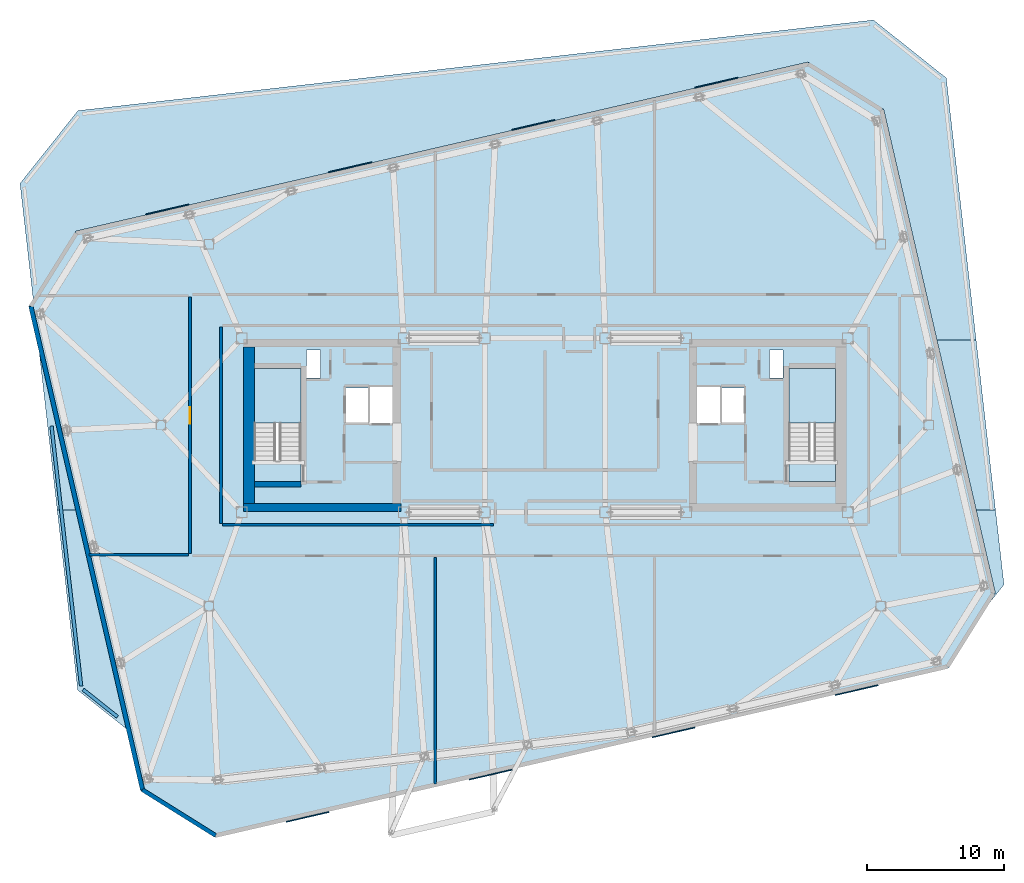
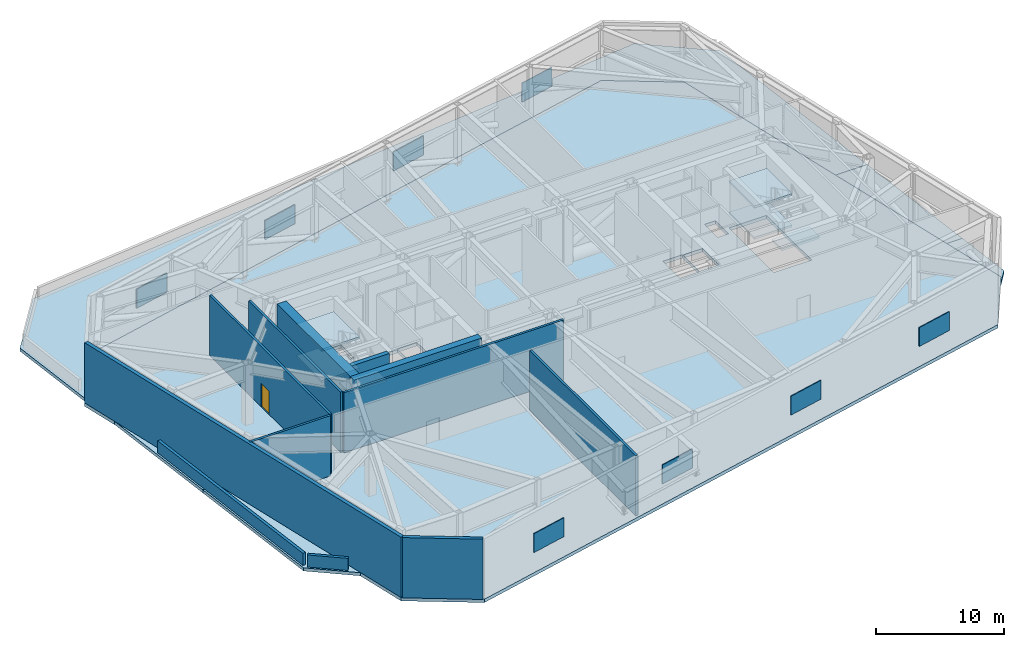
# One storey, part 6 of 15: 12 slabs, 12 walls, 8 plates, 1 door, 1 opening, 2 elements without a shape of their own.
"""IFC4 building model written with IfcOpenShell, lengths in metres."""

from ifc_helpers import new_model, si_unit, direction, frame, frame_2d, origin, origin_2d, place, context, subcontext, project, spatial, polyline, rectangle, outline, extrude, material, layer, layer_set, type_object, element, fill, aggregate, save


model = new_model("IFC4")

# Units and contexts
model_context = context("Model", 3, precision=1e-05, world=origin(), true_north=direction((0.0, 1.0)))
body_context = subcontext(model_context, "Body", "Model", "MODEL_VIEW")
ifc_project = project(units=[si_unit("LENGTHUNIT", "METRE"), si_unit("AREAUNIT", "SQUARE_METRE"), si_unit("VOLUMEUNIT", "CUBIC_METRE"), si_unit("PLANEANGLEUNIT", "RADIAN"), si_unit("MASSUNIT", "GRAM", prefix="KILO")], contexts=[model_context])

# Site, building, storey
site_placement = place(None, origin())
site = spatial("IfcSite", under=ifc_project, at=site_placement, CompositionType="ELEMENT")
building_placement = place(site_placement, origin())
building = spatial("IfcBuilding", under=site, at=building_placement, Name="Tavrogorsk Clinical Tower", CompositionType="ELEMENT")
storey_placement = place(building_placement, frame((0.0, 0.0, 271.0)))
storey = spatial("IfcBuildingStorey", under=building, at=storey_placement, Name="L63", CompositionType="ELEMENT", Elevation=271.0)

# Plates
ifc_material_1 = material(Name="Powder-coated aluminium acoustic louvre", Category="aluminium")
ifc_layer_1 = layer(ifc_material_1, 0.074951171875)
ifc_layer_set_1 = layer_set([ifc_layer_1], Name="Powder-coated aluminium acoustic louvre")
plate_type = type_object("IfcPlateType", Name="AcousticPlantLouvre_75", PredefinedType="SHEET", material=ifc_layer_set_1)
for number, where, z_axis, x_axis, name in (
    (1, (-17.31005859375, -28.5703125, 1.97021484375), (0.0, 0.0, 1.0), (0.974369662461, 0.224952796996, 0.0), "L63 Plant Acoustic Louvre S-1-1"),
    (2, (-3.961181640625, -25.48828125, 1.97021484375), (0.0, 0.0, 1.0), (0.974369662461, 0.224952796996, 0.0), "L63 Plant Acoustic Louvre S-1-2"),
    (3, (9.3876953125, -22.406494140625, 1.97021484375), (0.0, 0.0, 1.0), (0.974369662461, 0.224952796996, 0.0), "L63 Plant Acoustic Louvre S-1-3"),
    (4, (22.736328125, -19.32470703125, 1.97021484375), (0.0, 0.0, 1.0), (0.974369662461, 0.224952796996, 0.0), "L63 Plant Acoustic Louvre S-1-4"),
    (5, (12.510009765625, 24.97021484375, 1.97021484375), (0.0, 0.0, 1.0), (-0.974369662461, -0.224952796996, 0.0), "L63 Plant Acoustic Louvre N-1-1"),
    (6, (-0.838623046875, 21.888427734375, 1.97021484375), (0.0, 0.0, 1.0), (-0.974369662461, -0.224952796996, 0.0), "L63 Plant Acoustic Louvre N-1-2"),
    (7, (-14.1875, 18.806396484375, 1.97021484375), (0.0, 0.0, 1.0), (-0.974369662461, -0.224952796996, 0.0), "L63 Plant Acoustic Louvre N-1-3"),
    (8, (-27.536376953125, 15.724609375, 1.97021484375), (0.0, 0.0, 1.0), (-0.974369662461, -0.224952796996, 0.0), "L63 Plant Acoustic Louvre N-1-4"),
):
    element("IfcPlate", number, at=place(storey_placement, frame(where, z_axis=z_axis, x_axis=x_axis)), inside=storey, type_object=plate_type, Name=name, PredefinedType="SHEET", context=body_context, shape_type="SweptSolid", body=[
        extrude(rectangle(XDim=3.199951171875, YDim=0.074951171875, at=origin_2d()), origin(), (0.0, 0.0, 1.0), 1.800048828125),
    ])

# Slabs
ifc_material_2 = material(Name="Concrete B60", Category="concrete")
ifc_layer_2 = layer(ifc_material_2, 0.300048828125)
ifc_layer_set_2 = layer_set([ifc_layer_2], Name="Concrete B60")
slab_type_1 = type_object("IfcSlabType", Name="CrownTopRoofSlab_300", PredefinedType="ROOF", material=ifc_layer_set_2)
slab_1_placement = place(storey_placement, frame((0.0, 0.0, -0.300048828125)))
element("IfcSlab", 9, at=slab_1_placement, inside=storey, type_object=slab_type_1, Name="L63 Setback Roof Slab 1", PredefinedType="ROOF", context=body_context, shape_type="SweptSolid", body=[
    extrude(outline(polyline([(33.487060546875, -11.631591796875), (32.289306640625, -13.13720703125), (32.8515625, -12.23779296875), (31.45751953125, -6.199951171875), (32.8681640625, -6.199951171875), (33.487060546875, -11.631591796875)])), origin(), (0.0, 0.0, 1.0), 0.300048828125),
])
slab_2_placement = place(storey_placement, frame((0.0, 0.0, -0.300048828125)))
element("IfcSlab", 10, at=slab_2_placement, inside=storey, type_object=slab_type_1, Name="L63 Setback Roof Slab 2", PredefinedType="ROOF", context=body_context, shape_type="SweptSolid", body=[
    extrude(outline(polyline([(-35.57177734375, -6.199951171875), (-34.225830078125, -6.199951171875), (-30.546630859375, -22.13671875), (-34.075927734375, -19.329345703125), (-35.57177734375, -6.199951171875)])), origin(), (0.0, 0.0, 1.0), 0.300048828125),
])
slab_3_placement = place(storey_placement, frame((0.0, 0.0, -0.300048828125)))
element("IfcSlab", 11, at=slab_3_placement, inside=storey, type_object=slab_type_1, Name="L63 Setback Roof Slab 3", PredefinedType="ROOF", context=body_context, shape_type="SweptSolid", body=[
    extrude(outline(polyline([(-34.061279296875, 22.944091796875), (23.96337890625, 29.55517578125), (29.27587890625, 25.329345703125), (31.455322265625, 6.199951171875), (28.5947265625, 6.199951171875), (24.708251953125, 23.034423828125), (19.19140625, 26.48193359375), (-34.2041015625, 14.154541015625), (-37.322265625, 9.164306640625), (-38.287109375, 17.631591796875), (-34.061279296875, 22.944091796875)])), origin(), (0.0, 0.0, 1.0), 0.300048828125),
])
slab_4_placement = place(storey_placement, frame((0.0, 0.0, -0.300048828125)))
element("IfcSlab", 12, at=slab_4_placement, inside=storey, type_object=slab_type_1, Name="L63 Setback Roof Slab 4", PredefinedType="ROOF", context=body_context, shape_type="SweptSolid", body=[
    extrude(outline(polyline([(-36.883056640625, 5.3095703125), (-34.225830078125, -6.199951171875), (-35.57177734375, -6.199951171875), (-36.883056640625, 5.3095703125)])), origin(), (0.0, 0.0, 1.0), 0.300048828125),
])
slab_5_placement = place(storey_placement, frame((0.0, 0.0, -0.300048828125)))
element("IfcSlab", 13, at=slab_5_placement, inside=storey, type_object=slab_type_1, Name="L63 Setback Roof Slab 5", PredefinedType="ROOF", context=body_context, shape_type="SweptSolid", body=[
    extrude(outline(polyline([(32.8681640625, -6.199951171875), (31.45751953125, -6.199951171875), (28.5947265625, 6.199951171875), (31.455322265625, 6.199951171875), (32.8681640625, -6.199951171875)])), origin(), (0.0, 0.0, 1.0), 0.300048828125),
])
ifc_material_3 = material(Name="Concrete B60", Category="concrete")
ifc_layer_3 = layer(ifc_material_3, 0.320068359375)
ifc_layer_set_3 = layer_set([ifc_layer_3], Name="Concrete B60")
slab_type_2 = type_object("IfcSlabType", Name="PlantRefugeSlab_320", PredefinedType="FLOOR", material=ifc_layer_set_3)
slab_6_placement = place(storey_placement, frame((0.0, 0.0, -0.320068359375)))
element("IfcSlab", 14, at=slab_6_placement, inside=storey, type_object=slab_type_2, Name="L63 Structural Slab", PredefinedType="FLOOR", context=body_context, shape_type="SweptSolid", body=[
    extrude(outline(polyline([(-23.991455078125, -30.081787109375), (29.404052734375, -17.75439453125), (32.8515625, -12.23779296875), (24.708251953125, 23.034423828125), (19.19140625, 26.48193359375), (-34.2041015625, 14.154541015625), (-37.651611328125, 8.6376953125), (-29.50830078125, -26.634521484375), (-23.991455078125, -30.081787109375)]), holes=[polyline([(-17.800048828125, -2.8798828125), (-17.800048828125, 4.125), (-21.199951171875, 4.125), (-21.199951171875, -2.8798828125), (-17.800048828125, -2.8798828125)]), polyline([(21.199951171875, -2.8798828125), (21.199951171875, 4.125), (17.800048828125, 4.125), (17.800048828125, -2.8798828125), (21.199951171875, -2.8798828125)]), polyline([(-14.6201171875, 0.169921875), (-12.860107421875, 0.169921875), (-12.860107421875, 2.72998046875), (-14.6201171875, 2.72998046875), (-14.6201171875, 0.169921875)]), polyline([(-12.840087890625, 0.1201171875), (-11.080078125, 0.1201171875), (-11.080078125, 2.780029296875), (-12.840087890625, 2.780029296875), (-12.840087890625, 0.1201171875)]), polyline([(12.860107421875, 0.169921875), (14.6201171875, 0.169921875), (14.6201171875, 2.72998046875), (12.860107421875, 2.72998046875), (12.860107421875, 0.169921875)]), polyline([(11.080078125, 0.1201171875), (12.840087890625, 0.1201171875), (12.840087890625, 2.780029296875), (11.080078125, 2.780029296875), (11.080078125, 0.1201171875)]), polyline([(-17.3798828125, 3.449951171875), (-16.3798828125, 3.449951171875), (-16.3798828125, 5.5), (-17.3798828125, 5.5), (-17.3798828125, 3.449951171875)]), polyline([(16.3798828125, 3.449951171875), (17.3798828125, 3.449951171875), (17.3798828125, 5.5), (16.3798828125, 5.5), (16.3798828125, 3.449951171875)])]), origin(), (0.0, 0.0, 1.0), 0.320068359375),
])

# Stair, slabs
ifc_material_4 = material(Name="Concrete B60", Category="concrete")
stair_type = type_object("IfcStairType", Name="CoreStairAssembly", PredefinedType="HALF_TURN_STAIR", material=ifc_material_4)
stair_1_placement = place(storey_placement, origin())
stair_1 = element("IfcStair", 15, at=stair_1_placement, inside=storey, type_object=stair_type, Name="L63 ST-W", PredefinedType="HALF_TURN_STAIR")
ifc_material_5 = material(Name="Concrete B60", Category="concrete")
ifc_layer_4 = layer(ifc_material_5, 0.199951171875)
ifc_layer_set_4 = layer_set([ifc_layer_4], Name="Concrete B60")
slab_type_3 = type_object("IfcSlabType", Name="StairLanding_200", PredefinedType="LANDING", material=ifc_layer_set_4)
slab_7_placement = place(storey_placement, frame((0.0, 0.0, 1.300048828125)))
slab_7 = element("IfcSlab", 16, at=slab_7_placement, type_object=slab_type_3, Name="ST-W landing 1", PredefinedType="LANDING", context=body_context, shape_type="SweptSolid", body=[
    extrude(outline(polyline([(-17.800048828125, 0.14501953125), (-17.800048828125, 4.125), (-21.199951171875, 4.125), (-21.199951171875, 0.14501953125), (-17.800048828125, 0.14501953125)])), origin(), (0.0, 0.0, 1.0), 0.199951171875),
])
slab_8_placement = place(storey_placement, frame((0.0, 0.0, 2.800048828125)))
slab_8 = element("IfcSlab", 17, at=slab_8_placement, type_object=slab_type_3, Name="ST-W landing 2", PredefinedType="LANDING", context=body_context, shape_type="SweptSolid", body=[
    extrude(outline(polyline([(-17.800048828125, -4.125), (-17.800048828125, -2.574951171875), (-21.199951171875, -2.574951171875), (-21.199951171875, -4.125), (-17.800048828125, -4.125)])), origin(), (0.0, 0.0, 1.0), 0.199951171875),
])
slab_9_placement = place(storey_placement, frame((0.0, 0.0, 4.300048828125)))
slab_9 = element("IfcSlab", 18, at=slab_9_placement, type_object=slab_type_3, Name="ST-W landing 3", PredefinedType="LANDING", context=body_context, shape_type="SweptSolid", body=[
    extrude(outline(polyline([(-17.800048828125, 0.14501953125), (-17.800048828125, 4.125), (-21.199951171875, 4.125), (-21.199951171875, 0.14501953125), (-17.800048828125, 0.14501953125)])), origin(), (0.0, 0.0, 1.0), 0.199951171875),
])
aggregate(stair_1, [slab_7, slab_8, slab_9])

stair_2_placement = place(storey_placement, origin())
stair_2 = element("IfcStair", 19, at=stair_2_placement, inside=storey, type_object=stair_type, Name="L63 ST-E", PredefinedType="HALF_TURN_STAIR")
slab_10_placement = place(storey_placement, frame((0.0, 0.0, 1.300048828125)))
slab_10 = element("IfcSlab", 20, at=slab_10_placement, type_object=slab_type_3, Name="ST-E landing 1", PredefinedType="LANDING", context=body_context, shape_type="SweptSolid", body=[
    extrude(outline(polyline([(21.199951171875, 0.14501953125), (21.199951171875, 4.125), (17.800048828125, 4.125), (17.800048828125, 0.14501953125), (21.199951171875, 0.14501953125)])), origin(), (0.0, 0.0, 1.0), 0.199951171875),
])
slab_11_placement = place(storey_placement, frame((0.0, 0.0, 2.800048828125)))
slab_11 = element("IfcSlab", 21, at=slab_11_placement, type_object=slab_type_3, Name="ST-E landing 2", PredefinedType="LANDING", context=body_context, shape_type="SweptSolid", body=[
    extrude(outline(polyline([(21.199951171875, -4.125), (21.199951171875, -2.574951171875), (17.800048828125, -2.574951171875), (17.800048828125, -4.125), (21.199951171875, -4.125)])), origin(), (0.0, 0.0, 1.0), 0.199951171875),
])
slab_12_placement = place(storey_placement, frame((0.0, 0.0, 4.300048828125)))
slab_12 = element("IfcSlab", 22, at=slab_12_placement, type_object=slab_type_3, Name="ST-E landing 3", PredefinedType="LANDING", context=body_context, shape_type="SweptSolid", body=[
    extrude(outline(polyline([(21.199951171875, 0.14501953125), (21.199951171875, 4.125), (17.800048828125, 4.125), (17.800048828125, 0.14501953125), (21.199951171875, 0.14501953125)])), origin(), (0.0, 0.0, 1.0), 0.199951171875),
])
aggregate(stair_2, [slab_10, slab_11, slab_12])

# Wall, opening, door
ifc_material_6 = material(Name="Concrete B60", Category="concrete")
ifc_layer_5 = layer(ifc_material_6, 0.199951171875)
ifc_layer_set_5 = layer_set([ifc_layer_5], Name="Concrete B60")
wall_type_1 = type_object("IfcWallType", Name="CoreFireWall_200", PredefinedType="SOLIDWALL", material=ifc_layer_set_5)
wall_1_placement = place(storey_placement, frame((-25.8798828125, -9.344970703125, 0.0), z_axis=(0.0, 0.0, 1.0), x_axis=(0.0, 1.0, 0.0)))
wall_1 = element("IfcWall", 23, at=wall_1_placement, inside=storey, type_object=wall_type_1, Name="L63 Refuge Corridor Fire Wall 01", PredefinedType="SOLIDWALL", context=body_context, shape_type="SweptSolid", body=[
    extrude(rectangle(XDim=18.68994140625, YDim=0.199951171875, at=frame_2d((9.344970703125, 0.0))), origin(), (0.0, 0.0, 1.0), 5.739990234375),
])
opening_placement = place(wall_1_placement, frame((9.449951171875, 0.0, 0.0)))
opening = element("IfcOpeningElement", 24, at=opening_placement, cuts=wall_1, Name="Opening FD-01", PredefinedType="OPENING", context=body_context, shape_type="SweptSolid", body=[
    extrude(rectangle(XDim=1.199951171875, YDim=2.199951171875, at=frame_2d((0.60009765625, 1.10009765625))), frame((0.0, 0.10986328125, 0.0), z_axis=(0.0, -1.0, 0.0), x_axis=(1.0, 0.0, 0.0)), (0.0, 0.0, 1.0), 0.219970703125),
])
ifc_material_7 = material(Name="Galvanised steel fire-rated door assembly", Category="steel")
door_type = type_object("IfcDoorType", Name="FireDoor_FD01_1200", OperationType="NOTDEFINED", PredefinedType="DOOR", material=ifc_material_7)
door_placement = place(opening_placement, origin())
door = element("IfcDoor", 25, at=door_placement, inside=storey, type_object=door_type, Name="L63 Smoke Extract & Damper Plenum West Fire Door", OperationType="SINGLE_SWING_LEFT", OverallHeight=2.199951171875, OverallWidth=1.199951171875, PredefinedType="DOOR", context=body_context, shape_type="SweptSolid", body=[
    extrude(rectangle(XDim=1.199951171875, YDim=2.199951171875, at=frame_2d((0.60009765625, 1.10009765625))), frame((0.0, 0.02490234375, 0.0), z_axis=(0.0, -1.0, 0.0), x_axis=(1.0, 0.0, 0.0)), (0.0, 0.0, 1.0), 0.050048828125),
])
fill(opening, door)

# Walls
wall_2_placement = place(storey_placement, frame((-23.6201171875, 7.1650390625, 0.0), z_axis=(0.0, 0.0, 1.0), x_axis=(0.0, -1.0, 0.0)))
element("IfcWall", 26, at=wall_2_placement, inside=storey, type_object=wall_type_1, Name="L63 Refuge Corridor Fire Wall 21", PredefinedType="SOLIDWALL", context=body_context, shape_type="SweptSolid", body=[
    extrude(rectangle(XDim=14.330078125, YDim=0.199951171875, at=frame_2d((7.1650390625, 0.0))), origin(), (0.0, 0.0, 1.0), 5.739990234375),
])
wall_3_placement = place(storey_placement, frame((-23.514892578125, -7.27001953125, 0.0), z_axis=(0.0, 0.0, 1.0), x_axis=(1.0, 0.0, 0.0)))
element("IfcWall", 27, at=wall_3_placement, inside=storey, type_object=wall_type_1, Name="L63 Refuge Corridor Fire Wall 22", PredefinedType="SOLIDWALL", context=body_context, shape_type="SweptSolid", body=[
    extrude(rectangle(XDim=19.77978515625, YDim=0.199951171875, at=frame_2d((9.889892578125, 0.0))), origin(), (0.0, 0.0, 1.0), 5.739990234375),
])
wall_4_placement = place(storey_placement, frame((-33.249755859375, -9.449951171875, 0.0), z_axis=(0.0, 0.0, 1.0), x_axis=(1.0, 0.0, 0.0)))
element("IfcWall", 28, at=wall_4_placement, inside=storey, type_object=wall_type_1, Name="L63 Refuge & Plant Fire Wall 1", PredefinedType="SOLIDWALL", context=body_context, shape_type="SweptSolid", body=[
    extrude(rectangle(XDim=7.2646484375, YDim=0.199951171875, at=frame_2d((3.63232421875, 0.0))), origin(), (0.0, 0.0, 1.0), 5.739990234375),
])
wall_5_placement = place(storey_placement, frame((-8.0, -26.164306640625, 0.0), z_axis=(0.0, 0.0, 1.0), x_axis=(0.0, 1.0, 0.0)))
element("IfcWall", 29, at=wall_5_placement, inside=storey, type_object=wall_type_1, Name="L63 Refuge & Plant Fire Wall 5", PredefinedType="SOLIDWALL", context=body_context, shape_type="SweptSolid", body=[
    extrude(rectangle(XDim=16.529296875, YDim=0.199951171875, at=frame_2d((8.2646484375, 0.0))), origin(), (0.0, 0.0, 1.0), 5.739990234375),
])
ifc_material_8 = material(Name="Precast concrete B45 acoustic plenum wall", Category="concrete")
ifc_layer_6 = layer(ifc_material_8, 0.320068359375)
ifc_layer_set_6 = layer_set([ifc_layer_6], Name="Precast concrete B45 acoustic plenum wall")
wall_type_2 = type_object("IfcWallType", Name="PlantLouvreWall_320", PredefinedType="STANDARD", material=ifc_layer_set_6)
wall_6_placement = place(storey_placement, frame((-37.49560546875, 8.673583984375, 0.0), z_axis=(0.0, 0.0, 1.0), x_axis=(0.224953091034, -0.974369594576, 0.0)))
element("IfcWall", 30, at=wall_6_placement, inside=storey, type_object=wall_type_2, Name="L63 W Pleated Limestone Wing Wall", PredefinedType="STANDARD", context=body_context, shape_type="SweptSolid", body=[
    extrude(rectangle(XDim=36.199951171875, YDim=0.320068359375, at=frame_2d((18.10009765625, 0.0))), origin(), (0.0, 0.0, 1.0), 5.739990234375),
])
ifc_material_9 = material(Name="Concrete B60", Category="concrete")
ifc_layer_7 = layer(ifc_material_9, 0.25)
ifc_layer_set_7 = layer_set([ifc_layer_7], Name="Concrete B60")
wall_type_3 = type_object("IfcWallType", Name="RoofParapetWall_250", PredefinedType="PARAPET", material=ifc_layer_set_7)
wall_7_placement = place(storey_placement, frame((-31.17529296875, -21.27880859375, 0.0), z_axis=(0.0, 0.0, 1.0), x_axis=(-0.782595997594, 0.622529922614, 0.0)))
element("IfcWall", 31, at=wall_7_placement, inside=storey, type_object=wall_type_3, Name="L63 Setback Coping Parapet 1", PredefinedType="PARAPET", context=body_context, shape_type="SweptSolid", body=[
    extrude(rectangle(XDim=3.20751953125, YDim=0.25, at=frame_2d((1.603759765625, 0.0))), origin(), (0.0, 0.0, 1.0), 1.14990234375),
])
wall_8_placement = place(storey_placement, frame((-33.828857421875, -19.0234375, 0.0), z_axis=(0.0, 0.0, 1.0), x_axis=(-0.113202271798, 0.993571963, 0.0)))
element("IfcWall", 32, at=wall_8_placement, inside=storey, type_object=wall_type_3, Name="L63 Setback Coping Parapet 2", PredefinedType="PARAPET", context=body_context, shape_type="SweptSolid", body=[
    extrude(rectangle(XDim=19.077880859375, YDim=0.25, at=frame_2d((9.5390625, 0.0))), origin(), (0.0, 0.0, 1.0), 1.14990234375),
])
ifc_material_10 = material(Name="Concrete B80", Category="concrete")
ifc_layer_8 = layer(ifc_material_10, 0.39990234375)
ifc_layer_set_8 = layer_set([ifc_layer_8], Name="Concrete B80")
wall_type_4 = type_object("IfcWallType", Name="ShearWall_400", PredefinedType="SHEAR", material=ifc_layer_set_8)
wall_9_placement = place(storey_placement, frame((-21.199951171875, -4.324951171875, 0.0), z_axis=(0.0, 0.0, 1.0), x_axis=(1.0, 0.0, 0.0)))
element("IfcWall", 33, at=wall_9_placement, inside=storey, type_object=wall_type_4, Name="L63 Core West Stair Shaft South Shear Wall", PredefinedType="SHEAR", context=body_context, shape_type="SweptSolid", body=[
    extrude(rectangle(XDim=3.39990234375, YDim=0.39990234375, at=frame_2d((1.699951171875, 0.0))), origin(), (0.0, 0.0, 1.0), 5.739990234375),
])
ifc_material_11 = material(Name="Concrete B80", Category="concrete")
ifc_layer_9 = layer(ifc_material_11, 0.60009765625)
ifc_layer_set_9 = layer_set([ifc_layer_9], Name="Concrete B80")
wall_type_5 = type_object("IfcWallType", Name="ShearWall_600", PredefinedType="SHEAR", material=ifc_layer_set_9)
wall_10_placement = place(storey_placement, frame((-22.0, -6.0, 0.0), z_axis=(0.0, 0.0, 1.0), x_axis=(1.0, 0.0, 0.0)))
element("IfcWall", 34, at=wall_10_placement, inside=storey, type_object=wall_type_5, Name="L63 Core West South Shear Wall", PredefinedType="SHEAR", context=body_context, shape_type="SweptSolid", body=[
    extrude(rectangle(XDim=11.5, YDim=0.60009765625, at=frame_2d((5.75, 0.0))), origin(), (0.0, 0.0, 1.0), 5.739990234375),
])
ifc_material_12 = material(Name="Concrete B80", Category="concrete")
ifc_layer_10 = layer(ifc_material_12, 0.800048828125)
ifc_layer_set_10 = layer_set([ifc_layer_10], Name="Concrete B80")
wall_type_6 = type_object("IfcWallType", Name="ShearWall_800", PredefinedType="SHEAR", material=ifc_layer_set_10)
wall_11_placement = place(storey_placement, frame((-21.60009765625, -5.699951171875, 0.0), z_axis=(0.0, 0.0, 1.0), x_axis=(0.0, 1.0, 0.0)))
element("IfcWall", 35, at=wall_11_placement, inside=storey, type_object=wall_type_6, Name="L63 Core West End Shear Wall", PredefinedType="SHEAR", context=body_context, shape_type="SweptSolid", body=[
    extrude(rectangle(XDim=11.39990234375, YDim=0.800048828125, at=frame_2d((5.699951171875, 0.0))), origin(), (0.0, 0.0, 1.0), 5.739990234375),
])
ifc_material_13 = material(Name="Precast concrete B45 with mineral wool", Category="concrete")
ifc_layer_11 = layer(ifc_material_13, 0.300048828125)
ifc_layer_set_11 = layer_set([ifc_layer_11], Name="Precast concrete B45 with mineral wool")
wall_type_7 = type_object("IfcWallType", Name="SpandrelBackWall_300", PredefinedType="STANDARD", material=ifc_layer_set_11)
wall_12_placement = place(storey_placement, frame((-29.352294921875, -26.5986328125, 0.0), z_axis=(0.0, 0.0, 1.0), x_axis=(0.848048540581, -0.529918553004, 0.0)))
element("IfcWall", 36, at=wall_12_placement, inside=storey, type_object=wall_type_7, Name="L63 Chamfered Corner Wall 4", PredefinedType="STANDARD", context=body_context, shape_type="SweptSolid", body=[
    extrude(rectangle(XDim=6.279052734375, YDim=0.300048828125, at=frame_2d((3.1396484375, 0.0))), origin(), (0.0, 0.0, 1.0), 5.739990234375),
])

save(model, "model.ifc")
